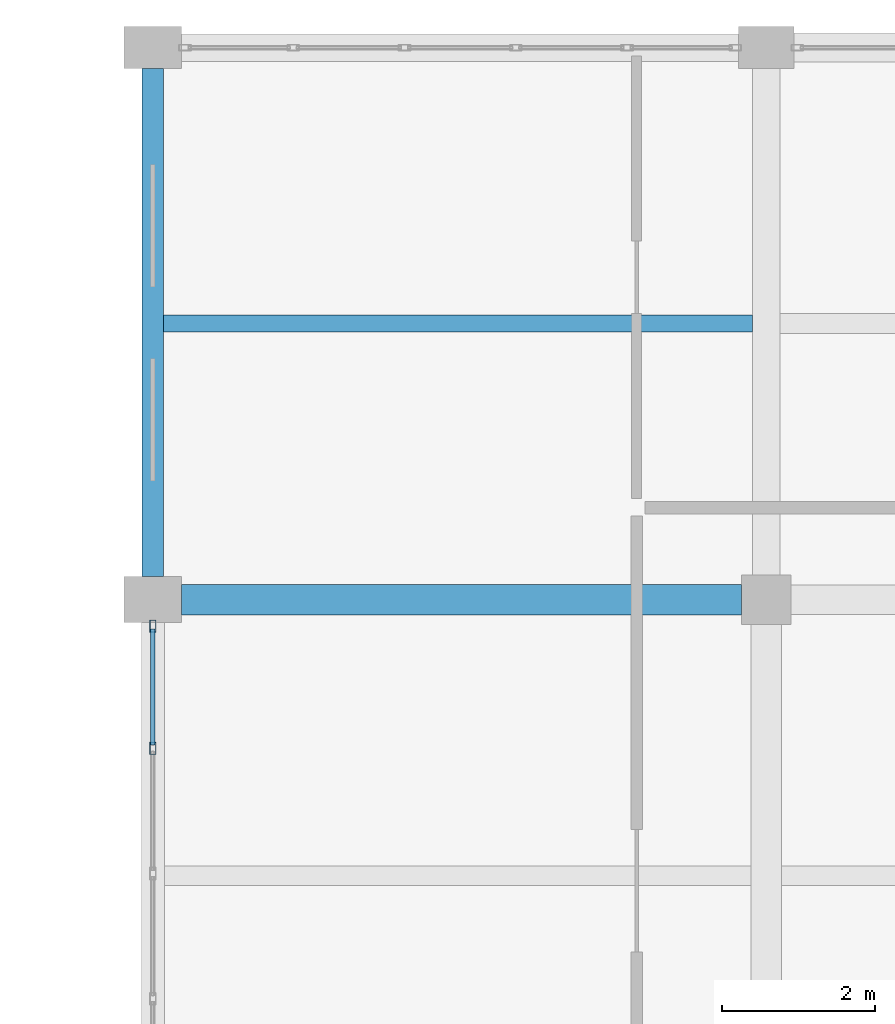
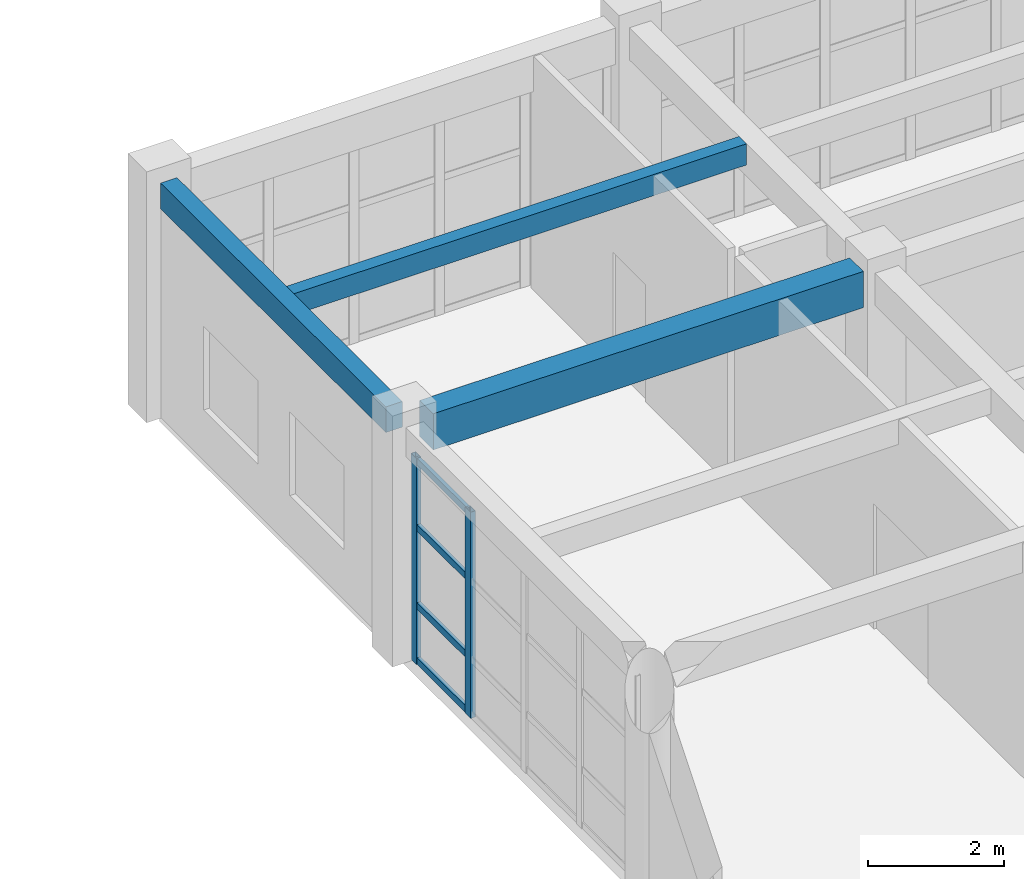
# One storey, part 75 of 160: 6 members, 3 beams, 1 element without a shape of its own.
"""IFC4 building model written with IfcOpenShell, lengths in metres."""

from ifc_helpers import new_model, si_unit, direction, frame, origin, origin_2d, place, context, subcontext, project, spatial, rectangle, hollow_rectangle, extrude, material, material_profile, profile_set, type_object, element, aggregate, save


model = new_model("IFC4")

# Units and contexts
model_context = context("Model", 3, precision=1e-05, world=origin(), true_north=direction((0.0, 1.0)))
body_context = subcontext(model_context, "Body", "Model", "MODEL_VIEW")
ifc_project = project(units=[si_unit("LENGTHUNIT", "METRE"), si_unit("AREAUNIT", "SQUARE_METRE"), si_unit("VOLUMEUNIT", "CUBIC_METRE"), si_unit("PLANEANGLEUNIT", "RADIAN"), si_unit("MASSUNIT", "GRAM", prefix="KILO")], contexts=[model_context])

# Site, building, storey
site_placement = place(None, origin())
site = spatial("IfcSite", under=ifc_project, at=site_placement, CompositionType="ELEMENT")
building_placement = place(site_placement, origin())
building = spatial("IfcBuilding", under=site, at=building_placement, Name="Kharva Crest Polytechnic", CompositionType="ELEMENT")
storey_placement = place(building_placement, frame((0.0, 0.0, 4.5)))
storey = spatial("IfcBuildingStorey", under=building, at=storey_placement, Name="L01", CompositionType="ELEMENT", Elevation=4.5)

# Beam
ifc_material_1 = material(Name="Concrete C35/45", Category="concrete")
ifc_material_profile_1 = material_profile(ifc_material_1, rectangle(XDim=0.39990234375, YDim=0.64990234375, at=origin_2d()), Name="RECT 400 X 650")
ifc_profile_set_1 = profile_set([ifc_material_profile_1], Name="Concrete C35/45")
beam_type_1 = type_object("IfcBeamType", Name="BM-RC-400X650", PredefinedType="BEAM", material=ifc_profile_set_1)
beam_1_placement = place(storey_placement, frame((32.375, 114.800048828125, 3.89501953125), z_axis=(1.0, 0.0, 0.0), x_axis=(0.0, 1.0, 0.0)))
element("IfcBeam", 1, at=beam_1_placement, inside=storey, type_object=beam_type_1, Name="L01 Beam R/5-6", PredefinedType="BEAM", context=body_context, shape_type="SweptSolid", body=[
    extrude(rectangle(XDim=0.39990234375, YDim=0.64990234375, at=origin_2d()), origin(), (0.0, 0.0, 1.0), 7.300048828125),
])

# Curtain wall, members
ifc_material_2 = material(Name="Tempered insulated glass", Category="glass")
curtain_wall_type = type_object("IfcCurtainWallType", Name="CW-SYS-COURT", PredefinedType="USERDEFINED", material=ifc_material_2)
curtain_wall_placement = place(storey_placement, origin())
curtain_wall = element("IfcCurtainWall", 2, at=curtain_wall_placement, inside=storey, type_object=curtain_wall_type, Name="L01 Glazed Curtain Wall CW-078", ObjectType="CURTAIN WALL", PredefinedType="USERDEFINED")
ifc_material_3 = material(Name="Steel S355", Category="steel")
ifc_material_profile_2 = material_profile(ifc_material_3, hollow_rectangle(XDim=0.080078125, YDim=0.159912109375, WallThickness=0.0048828125, at=origin_2d()), Name="RHS 160X80X5.0")
ifc_profile_set_2 = profile_set([ifc_material_profile_2], Name="Steel S355")
member_type_1 = type_object("IfcMemberType", Name="CWM-RHS160X80", PredefinedType="MULLION", material=ifc_profile_set_2)
member_1_placement = place(storey_placement, frame((32.0, 114.455078125, 0.0), z_axis=(0.0, 0.0, 1.0), x_axis=(1.0, 0.0, 0.0)))
member_1 = element("IfcMember", 3, at=member_1_placement, type_object=member_type_1, Name="CW-078 mullion 1", PredefinedType="MULLION", context=body_context, shape_type="SweptSolid", body=[
    extrude(hollow_rectangle(XDim=0.080078125, YDim=0.159912109375, WallThickness=0.0048828125, at=origin_2d()), origin(), (0.0, 0.0, 1.0), 3.699951171875),
])
member_2_placement = place(storey_placement, frame((32.0, 112.862548828125, 0.0), z_axis=(0.0, 0.0, 1.0), x_axis=(1.0, 0.0, 0.0)))
member_2 = element("IfcMember", 4, at=member_2_placement, type_object=member_type_1, Name="CW-078 mullion 2", PredefinedType="MULLION", context=body_context, shape_type="SweptSolid", body=[
    extrude(hollow_rectangle(XDim=0.080078125, YDim=0.159912109375, WallThickness=0.0048828125, at=origin_2d()), origin(), (0.0, 0.0, 1.0), 3.699951171875),
])
ifc_material_profile_3 = material_profile(ifc_material_3, hollow_rectangle(XDim=0.06005859375, YDim=0.1201171875, WallThickness=0.00390625, at=origin_2d()), Name="RHS 120X60X4.0")
ifc_profile_set_3 = profile_set([ifc_material_profile_3], Name="Steel S355")
member_type_2 = type_object("IfcMemberType", Name="CWT-RHS120X60", PredefinedType="USERDEFINED", material=ifc_profile_set_3)
member_3_placement = place(storey_placement, frame((32.0, 114.4150390625, 0.06005859375), z_axis=(0.0, -1.0, 0.0), x_axis=(1.0, 0.0, 0.0)))
member_3 = element("IfcMember", 5, at=member_3_placement, type_object=member_type_2, Name="CW-078 transom 1.1", ObjectType="TRANSOM", PredefinedType="USERDEFINED", context=body_context, shape_type="SweptSolid", body=[
    extrude(hollow_rectangle(XDim=0.06005859375, YDim=0.1201171875, WallThickness=0.00390625, at=origin_2d()), origin(), (0.0, 0.0, 1.0), 1.512451171875),
])
member_4_placement = place(storey_placement, frame((32.0, 114.4150390625, 1.050048828125), z_axis=(0.0, -1.0, 0.0), x_axis=(1.0, 0.0, 0.0)))
member_4 = element("IfcMember", 6, at=member_4_placement, type_object=member_type_2, Name="CW-078 transom 1.2", ObjectType="TRANSOM", PredefinedType="USERDEFINED", context=body_context, shape_type="SweptSolid", body=[
    extrude(hollow_rectangle(XDim=0.06005859375, YDim=0.1201171875, WallThickness=0.00390625, at=origin_2d()), origin(), (0.0, 0.0, 1.0), 1.512451171875),
])
member_5_placement = place(storey_placement, frame((32.0, 114.4150390625, 2.449951171875), z_axis=(0.0, -1.0, 0.0), x_axis=(1.0, 0.0, 0.0)))
member_5 = element("IfcMember", 7, at=member_5_placement, type_object=member_type_2, Name="CW-078 transom 1.3", ObjectType="TRANSOM", PredefinedType="USERDEFINED", context=body_context, shape_type="SweptSolid", body=[
    extrude(hollow_rectangle(XDim=0.06005859375, YDim=0.1201171875, WallThickness=0.00390625, at=origin_2d()), origin(), (0.0, 0.0, 1.0), 1.512451171875),
])
member_6_placement = place(storey_placement, frame((32.0, 114.4150390625, 3.639892578125), z_axis=(0.0, -1.0, 0.0), x_axis=(1.0, 0.0, 0.0)))
member_6 = element("IfcMember", 8, at=member_6_placement, type_object=member_type_2, Name="CW-078 transom 1.4", ObjectType="TRANSOM", PredefinedType="USERDEFINED", context=body_context, shape_type="SweptSolid", body=[
    extrude(hollow_rectangle(XDim=0.06005859375, YDim=0.1201171875, WallThickness=0.00390625, at=origin_2d()), origin(), (0.0, 0.0, 1.0), 1.512451171875),
])
aggregate(curtain_wall, [member_1, member_2, member_3, member_4, member_5, member_6])

# Beams
ifc_material_profile_4 = material_profile(ifc_material_1, rectangle(XDim=0.219970703125, YDim=0.3798828125, at=origin_2d()), Name="RECT 220 X 380")
ifc_profile_set_4 = profile_set([ifc_material_profile_4], Name="Concrete C35/45")
beam_type_2 = type_object("IfcBeamType", Name="JS-RC-220X380", PredefinedType="JOIST", material=ifc_profile_set_4)
beam_2_placement = place(storey_placement, frame((32.139892578125, 118.39990234375, 4.030029296875), z_axis=(1.0, 0.0, 0.0), x_axis=(0.0, 1.0, 0.0)))
element("IfcBeam", 9, at=beam_2_placement, inside=storey, type_object=beam_type_2, Name="L01 Floor Joist 45", PredefinedType="JOIST", context=body_context, shape_type="SweptSolid", body=[
    extrude(rectangle(XDim=0.219970703125, YDim=0.3798828125, at=origin_2d()), origin(), (0.0, 0.0, 1.0), 7.68017578125),
])
ifc_material_profile_5 = material_profile(ifc_material_1, rectangle(XDim=0.280029296875, YDim=0.4599609375, at=origin_2d()), Name="RECT 280 X 460")
ifc_profile_set_5 = profile_set([ifc_material_profile_5], Name="Concrete C35/45")
beam_type_3 = type_object("IfcBeamType", Name="SP-RC-280X460", PredefinedType="SPANDREL", material=ifc_profile_set_5)
beam_3_placement = place(storey_placement, frame((32.0, 115.10009765625, 3.989990234375), z_axis=(0.0, 1.0, 0.0), x_axis=(-1.0, 0.0, 0.0)))
element("IfcBeam", 10, at=beam_3_placement, inside=storey, type_object=beam_type_3, Name="L01 Girder 5/R-S", PredefinedType="SPANDREL", context=body_context, shape_type="SweptSolid", body=[
    extrude(rectangle(XDim=0.280029296875, YDim=0.4599609375, at=origin_2d()), origin(), (0.0, 0.0, 1.0), 6.625),
])

save(model, "model.ifc")
